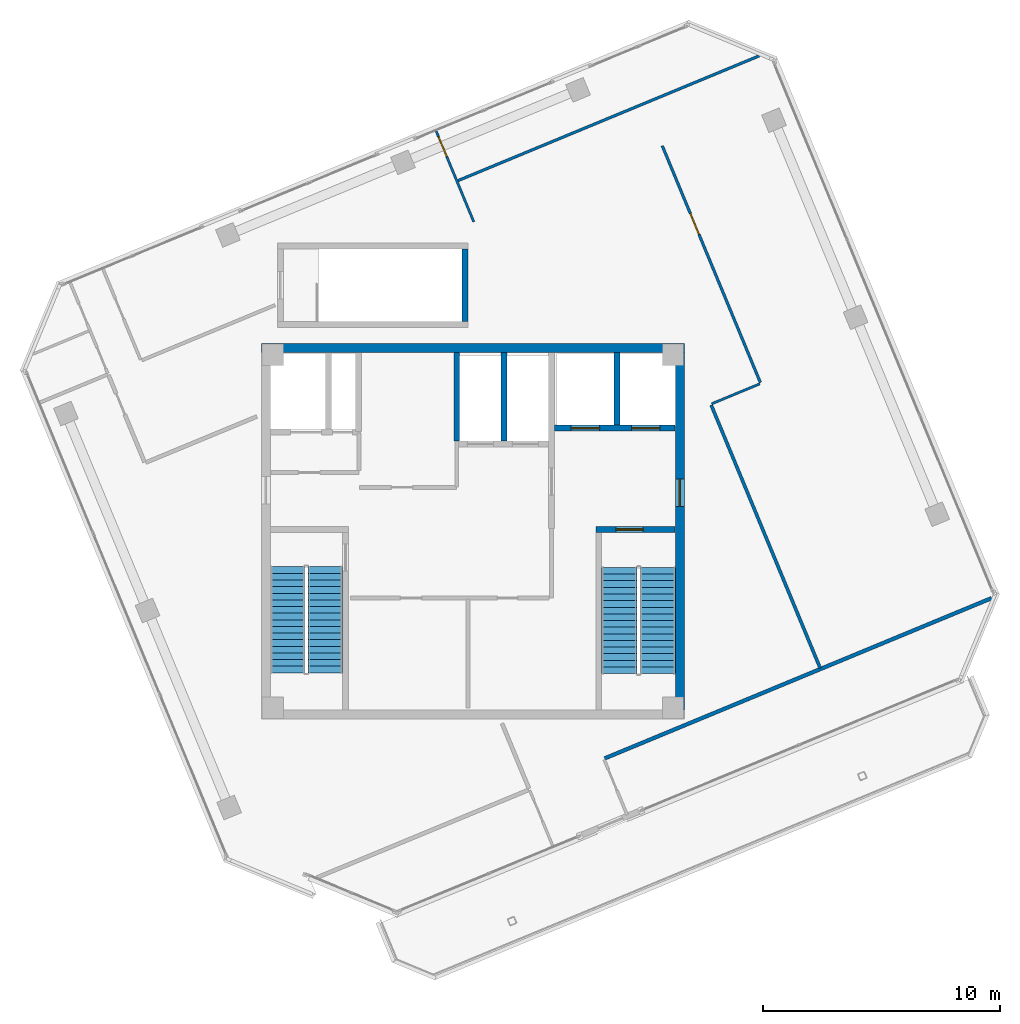
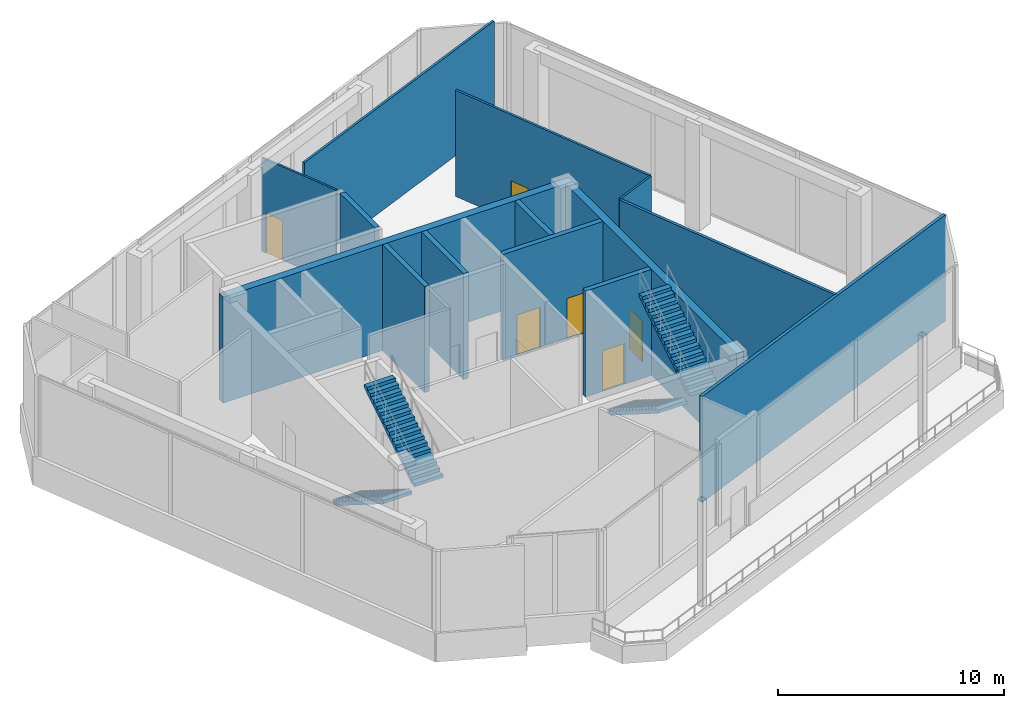
# One storey, part 12 of 16: 14 walls, 6 doors, 4 stair flights, 6 openings, 2 elements without a shape of their own.
"""IFC4 building model written with IfcOpenShell, lengths in metres."""

from ifc_helpers import new_model, si_unit, direction, frame, frame_2d, origin, place, context, subcontext, project, spatial, polyline, rectangle, outline, extrude, source, transform, mapped, material, layer, layer_set, type_object, element, fill, aggregate, save


model = new_model("IFC4")

# Units and contexts
model_context = context("Model", 3, precision=1e-05, world=origin(), true_north=direction((0.0, 1.0)))
body_context = subcontext(model_context, "Body", "Model", "MODEL_VIEW")
ifc_project = project(units=[si_unit("LENGTHUNIT", "METRE"), si_unit("AREAUNIT", "SQUARE_METRE"), si_unit("VOLUMEUNIT", "CUBIC_METRE"), si_unit("PLANEANGLEUNIT", "RADIAN"), si_unit("MASSUNIT", "GRAM", prefix="KILO")], contexts=[model_context])

# Site, building, storey
site_placement = place(None, origin())
site = spatial("IfcSite", under=ifc_project, at=site_placement, CompositionType="ELEMENT")
building_placement = place(site_placement, origin())
building = spatial("IfcBuilding", under=site, at=building_placement, Name="Torre Montelarca", CompositionType="ELEMENT")
storey_placement = place(building_placement, frame((0.0, 0.0, 360.0)))
storey = spatial("IfcBuildingStorey", under=building, at=storey_placement, Name="L81", CompositionType="ELEMENT", Elevation=360.0)

# Wall, opening, door
ifc_material_1 = material(Name="Concrete C40/50", Category="concrete")
ifc_layer_1 = layer(ifc_material_1, 0.25, Name="Concrete C40/50", Category="concrete")
ifc_layer_set_1 = layer_set([ifc_layer_1], Name="Concrete C40/50")
wall_type_1 = type_object("IfcWallType", Name="CW-SHAFT-250", PredefinedType="SHEAR", material=ifc_layer_set_1)
wall_1_placement = place(storey_placement, frame((23.18994140625, 32.074951171875, 0.0), z_axis=(0.0, 0.0, 1.0), x_axis=(1.0, 0.0, 0.0)))
wall_1 = element("IfcWall", 1, at=wall_1_placement, inside=storey, type_object=wall_type_1, Name="L81 Core Shear Wall SH-ST2-N", PredefinedType="SHEAR", context=body_context, shape_type="SweptSolid", body=[
    extrude(rectangle(XDim=3.35009765625, YDim=0.25, at=frame_2d((1.675048828125, 0.0))), origin(), (0.0, 0.0, 1.0), 5.719970703125),
])
opening_1_placement = place(wall_1_placement, frame((0.85009765625, 0.0, 0.0)))
opening_1 = element("IfcOpeningElement", 2, at=opening_1_placement, cuts=wall_1, Name="Opening FD-ST1", PredefinedType="OPENING", context=body_context, shape_type="SweptSolid", body=[
    extrude(rectangle(XDim=1.14990234375, YDim=2.199951171875, at=frame_2d((0.574951171875, 1.10009765625))), frame((0.0, 0.135009765625, 0.0), z_axis=(0.0, -1.0, 0.0), x_axis=(1.0, 0.0, 0.0)), (0.0, 0.0, 1.0), 0.27001953125),
])
ifc_material_2 = material(Name="Galvanized steel fire door", Category="steel")
door_type_1 = type_object("IfcDoorType", Name="DR-STAIR-115", OperationType="NOTDEFINED", PredefinedType="DOOR", material=ifc_material_2)
shared_shape_1 = source(origin(), body_context, "Body", "SweptSolid", [
    extrude(rectangle(XDim=1.14990234375, YDim=2.199951171875, at=frame_2d((0.574951171875, 1.10009765625))), frame((0.0, 0.02490234375, 0.0), z_axis=(0.0, -1.0, 0.0), x_axis=(1.0, 0.0, 0.0)), (0.0, 0.0, 1.0), 0.050048828125),
])
door_1_placement = place(opening_1_placement, origin())
door_1 = element("IfcDoor", 3, at=door_1_placement, inside=storey, type_object=door_type_1, Name="L81 Exit Stair ST2 Fire Door", OperationType="SINGLE_SWING_RIGHT", OverallHeight=2.199951171875, OverallWidth=1.14990234375, PredefinedType="DOOR", context=body_context, shape_type="MappedRepresentation", body=[
    mapped(shared_shape_1, transform((0.0, 0.0, 0.0), scale=1.0)),
])
fill(opening_1, door_1)

# Wall, openings, doors
wall_2_placement = place(storey_placement, frame((21.449951171875, 36.35009765625, 0.0), z_axis=(0.0, 0.0, 1.0), x_axis=(1.0, 0.0, 0.0)))
wall_2 = element("IfcWall", 4, at=wall_2_placement, inside=storey, type_object=wall_type_1, Name="L81 Core Shear Wall SH-FF-S", PredefinedType="SHEAR", context=body_context, shape_type="SweptSolid", body=[
    extrude(rectangle(XDim=5.090087890625, YDim=0.25, at=frame_2d((2.544921875, 0.0))), origin(), (0.0, 0.0, 1.0), 5.719970703125),
])
opening_2_placement = place(wall_2_placement, frame((0.699951171875, 0.0, 0.0)))
opening_2 = element("IfcOpeningElement", 5, at=opening_2_placement, cuts=wall_2, Name="Opening LD-120", PredefinedType="OPENING", context=body_context, shape_type="SweptSolid", body=[
    extrude(rectangle(XDim=1.199951171875, YDim=2.199951171875, at=frame_2d((0.60009765625, 1.10009765625))), frame((0.0, 0.135009765625, 0.0), z_axis=(0.0, -1.0, 0.0), x_axis=(1.0, 0.0, 0.0)), (0.0, 0.0, 1.0), 0.27001953125),
])
opening_3_placement = place(wall_2_placement, frame((3.25, 0.0, 0.0)))
opening_3 = element("IfcOpeningElement", 6, at=opening_3_placement, cuts=wall_2, Name="Opening LD-120", PredefinedType="OPENING", context=body_context, shape_type="SweptSolid", body=[
    extrude(rectangle(XDim=1.199951171875, YDim=2.199951171875, at=frame_2d((0.60009765625, 1.10009765625))), frame((0.0, 0.135009765625, 0.0), z_axis=(0.0, -1.0, 0.0), x_axis=(1.0, 0.0, 0.0)), (0.0, 0.0, 1.0), 0.27001953125),
])
ifc_material_3 = material(Name="Brushed stainless steel AISI 316", Category="steel")
door_type_2 = type_object("IfcDoorType", Name="DR-LIFT-120", OperationType="SLIDING_TO_RIGHT", PredefinedType="DOOR", material=ifc_material_3)
shared_shape_2 = source(origin(), body_context, "Body", "SweptSolid", [
    extrude(rectangle(XDim=1.199951171875, YDim=2.199951171875, at=frame_2d((0.60009765625, 1.10009765625))), frame((0.0, 0.02490234375, 0.0), z_axis=(0.0, -1.0, 0.0), x_axis=(1.0, 0.0, 0.0)), (0.0, 0.0, 1.0), 0.050048828125),
])
door_2_placement = place(opening_2_placement, origin())
door_2 = element("IfcDoor", 7, at=door_2_placement, inside=storey, type_object=door_type_2, Name="L81 Lift Landing Sliding Door FF-1", OperationType="SLIDING_TO_LEFT", OverallHeight=2.199951171875, OverallWidth=1.199951171875, PredefinedType="DOOR", context=body_context, shape_type="MappedRepresentation", body=[
    mapped(shared_shape_2, transform((0.0, 0.0, 0.0), scale=1.0)),
])
fill(opening_2, door_2)
door_3_placement = place(opening_3_placement, origin())
door_3 = element("IfcDoor", 8, at=door_3_placement, inside=storey, type_object=door_type_2, Name="L81 Lift Landing Sliding Door FF-2", OperationType="SLIDING_TO_RIGHT", OverallHeight=2.199951171875, OverallWidth=1.199951171875, PredefinedType="DOOR", context=body_context, shape_type="MappedRepresentation", body=[
    mapped(shared_shape_2, transform((0.0, 0.0, 0.0), scale=1.0)),
])
fill(opening_3, door_3)

# Walls
wall_3_placement = place(storey_placement, frame((24.080078125, 36.47998046875, 0.0), z_axis=(0.0, 0.0, 1.0), x_axis=(0.0, 1.0, 0.0)))
element("IfcWall", 9, at=wall_3_placement, inside=storey, type_object=wall_type_1, Name="L81 Core Shear Wall SH-FF-M", PredefinedType="SHEAR", context=body_context, shape_type="SweptSolid", body=[
    extrude(rectangle(XDim=3.06005859375, YDim=0.25, at=frame_2d((1.530029296875, 0.0))), origin(), (0.0, 0.0, 1.0), 5.719970703125),
])
for number, where, z_axis, x_axis, name in (
    (10, (17.320068359375, 35.81005859375, 0.0), (0.0, 0.0, 1.0), (0.0, 1.0, 0.0), "L81 Core Shear Wall SH-PLH-W"),
    (11, (19.320068359375, 35.81005859375, 0.0), (0.0, 0.0, 1.0), (0.0, 1.0, 0.0), "L81 Core Shear Wall SH-PLH-M"),
):
    element("IfcWall", number, at=place(storey_placement, frame(where, z_axis=z_axis, x_axis=x_axis)), inside=storey, type_object=wall_type_1, Name=name, PredefinedType="SHEAR", context=body_context, shape_type="SweptSolid", body=[
        extrude(rectangle(XDim=3.72998046875, YDim=0.25, at=frame_2d((1.864990234375, 0.0))), origin(), (0.0, 0.0, 1.0), 5.719970703125),
    ])
wall_4_placement = place(storey_placement, frame((17.675048828125, 40.85009765625, 0.0), z_axis=(0.0, 0.0, 1.0), x_axis=(0.0, 1.0, 0.0)))
element("IfcWall", 12, at=wall_4_placement, inside=storey, type_object=wall_type_1, Name="L81 Core Shear Wall SH-ST5-E", PredefinedType="SHEAR", context=body_context, shape_type="SweptSolid", body=[
    extrude(rectangle(XDim=3.06982421875, YDim=0.25, at=frame_2d((1.534912109375, 0.0))), origin(), (0.0, 0.0, 1.0), 5.719970703125),
])

# Wall, opening, door
ifc_layer_2 = layer(ifc_material_1, 0.3798828125, Name="Concrete C40/50", Category="concrete")
ifc_layer_set_2 = layer_set([ifc_layer_2], Name="Concrete C40/50")
wall_type_2 = type_object("IfcWallType", Name="CW-SHEAR-380", PredefinedType="SHEAR", material=ifc_layer_set_2)
wall_5_placement = place(storey_placement, frame((26.739990234375, 24.449951171875, 0.0), z_axis=(0.0, 0.0, 1.0), x_axis=(0.0, 1.0, 0.0)))
wall_5 = element("IfcWall", 13, at=wall_5_placement, inside=storey, type_object=wall_type_2, Name="L81 Core Shear Wall CW-E", PredefinedType="SHEAR", context=body_context, shape_type="SweptSolid", body=[
    extrude(rectangle(XDim=15.10009765625, YDim=0.3798828125, at=frame_2d((7.550048828125, 0.0))), origin(), (0.0, 0.0, 1.0), 5.719970703125),
])
opening_4_placement = place(wall_5_placement, frame((8.60009765625, 0.0, 0.0)))
opening_4 = element("IfcOpeningElement", 14, at=opening_4_placement, cuts=wall_5, Name="Opening FD-LB1", PredefinedType="OPENING", context=body_context, shape_type="SweptSolid", body=[
    extrude(rectangle(XDim=1.14990234375, YDim=2.199951171875, at=frame_2d((0.574951171875, 1.10009765625))), frame((0.0, 0.199951171875, 0.0), z_axis=(0.0, -1.0, 0.0), x_axis=(1.0, 0.0, 0.0)), (0.0, 0.0, 1.0), 0.39990234375),
])
ifc_material_4 = material(Name="Acoustic timber-veneered fire door", Category="wood")
door_type_3 = type_object("IfcDoorType", Name="DR-LOBBY-115", OperationType="NOTDEFINED", PredefinedType="DOOR", material=ifc_material_4)
shared_shape_3 = source(origin(), body_context, "Body", "SweptSolid", [
    extrude(rectangle(XDim=1.14990234375, YDim=2.199951171875, at=frame_2d((0.574951171875, 1.10009765625))), frame((0.0, 0.02490234375, 0.0), z_axis=(0.0, -1.0, 0.0), x_axis=(1.0, 0.0, 0.0)), (0.0, 0.0, 1.0), 0.050048828125),
])
door_4_placement = place(opening_4_placement, origin())
door_4 = element("IfcDoor", 15, at=door_4_placement, inside=storey, type_object=door_type_3, Name="L81 Firefighting Lift Lobby Corridor Fire Door", OperationType="SINGLE_SWING_RIGHT", OverallHeight=2.199951171875, OverallWidth=1.14990234375, PredefinedType="DOOR", context=body_context, shape_type="MappedRepresentation", body=[
    mapped(shared_shape_3, transform((0.0, 0.0, 0.0), scale=1.0)),
])
fill(opening_4, door_4)

# Walls
wall_6_placement = place(storey_placement, frame((9.070068359375, 39.739990234375, 0.0), z_axis=(0.0, 0.0, 1.0), x_axis=(1.0, 0.0, 0.0)))
element("IfcWall", 16, at=wall_6_placement, inside=storey, type_object=wall_type_2, Name="L81 Core Shear Wall CW-N1", PredefinedType="SHEAR", context=body_context, shape_type="SweptSolid", body=[
    extrude(rectangle(XDim=17.85986328125, YDim=0.3798828125, at=frame_2d((8.929931640625, 0.0))), origin(), (0.0, 0.0, 1.0), 5.719970703125),
])
ifc_material_5 = material(Name="Gypsum plasterboard on steel stud", Category="steel")
ifc_layer_3 = layer(ifc_material_5, 0.159912109375, Name="Gypsum plasterboard on steel stud", Category="steel")
ifc_layer_set_3 = layer_set([ifc_layer_3], Name="Gypsum plasterboard on steel stud")
wall_type_3 = type_object("IfcWallType", Name="PW-FIRE-160", PredefinedType="PARTITIONING", material=ifc_layer_set_3)
wall_7_placement = place(storey_placement, frame((23.56689453125, 22.410888671875, 0.0), z_axis=(0.0, 0.0, 1.0), x_axis=(0.923875223291, 0.382693835577, 0.0)))
element("IfcWall", 17, at=wall_7_placement, inside=storey, type_object=wall_type_3, Name="L81 Interior Partition W-L81-ECN", PredefinedType="PARTITIONING", context=body_context, shape_type="SweptSolid", body=[
    extrude(rectangle(XDim=17.671875, YDim=0.159912109375, at=frame_2d((8.8359375, 0.0))), origin(), (0.0, 0.0, 1.0), 5.719970703125),
])
ifc_material_6 = material(Name="Acoustic laminated glass partition", Category="glass")
ifc_layer_4 = layer(ifc_material_6, 0.10009765625, Name="Acoustic laminated glass partition", Category="glass")
ifc_layer_set_4 = layer_set([ifc_layer_4], Name="Acoustic laminated glass partition")
wall_type_4 = type_object("IfcWallType", Name="PW-GLAZ-100", PredefinedType="PARTITIONING", material=ifc_layer_set_4)
wall_8_placement = place(storey_placement, frame((28.082763671875, 37.37841796875, 0.0), z_axis=(0.0, 0.0, 1.0), x_axis=(0.923853160736, 0.382747093259, 0.0)))
element("IfcWall", 18, at=wall_8_placement, inside=storey, type_object=wall_type_4, Name="L81 Interior Partition W-L81-NWW3", PredefinedType="PARTITIONING", context=body_context, shape_type="SweptSolid", body=[
    extrude(rectangle(XDim=2.199951171875, YDim=0.10009765625, at=frame_2d((1.10009765625, 0.0))), origin(), (0.0, 0.0, 1.0), 5.719970703125),
])

# Wall, opening, door
wall_9_placement = place(storey_placement, frame((16.45849609375, 48.875244140625, 0.0), z_axis=(0.0, 0.0, 1.0), x_axis=(0.382645903769, -0.923895076472, 0.0)))
wall_9 = element("IfcWall", 19, at=wall_9_placement, inside=storey, type_object=wall_type_4, Name="L81 Interior Partition W-L81-WPKM", PredefinedType="PARTITIONING", context=body_context, shape_type="SweptSolid", body=[
    extrude(rectangle(XDim=4.1298828125, YDim=0.10009765625, at=frame_2d((2.06494140625, 0.0))), origin(), (0.0, 0.0, 1.0), 5.054931640625),
])
opening_5_placement = place(wall_9_placement, frame((0.25, 0.0, 0.0)))
opening_5 = element("IfcOpeningElement", 20, at=opening_5_placement, cuts=wall_9, Name="Opening ID-090", PredefinedType="OPENING", context=body_context, shape_type="SweptSolid", body=[
    extrude(rectangle(XDim=0.89990234375, YDim=2.14990234375, at=frame_2d((0.449951171875, 1.074951171875))), frame((0.0, 0.06005859375, 0.0), z_axis=(0.0, -1.0, 0.0), x_axis=(1.0, 0.0, 0.0)), (0.0, 0.0, 1.0), 0.1201171875),
])
ifc_material_7 = material(Name="Hardwood acoustic timber veneer", Category="wood")
door_type_4 = type_object("IfcDoorType", Name="DR-INT-090", OperationType="NOTDEFINED", PredefinedType="DOOR", material=ifc_material_7)
shared_shape_4 = source(origin(), body_context, "Body", "SweptSolid", [
    extrude(rectangle(XDim=0.89990234375, YDim=2.14990234375, at=frame_2d((0.449951171875, 1.074951171875))), frame((0.0, 0.02490234375, 0.0), z_axis=(0.0, -1.0, 0.0), x_axis=(1.0, 0.0, 0.0)), (0.0, 0.0, 1.0), 0.050048828125),
])
door_5_placement = place(opening_5_placement, origin())
door_5 = element("IfcDoor", 21, at=door_5_placement, inside=storey, type_object=door_type_4, Name="L81 Interior Door 10", OperationType="SINGLE_SWING_RIGHT", OverallHeight=2.14990234375, OverallWidth=0.89990234375, PredefinedType="DOOR", context=body_context, shape_type="MappedRepresentation", body=[
    mapped(shared_shape_4, transform((0.0, 0.0, 0.0), scale=1.0)),
])
fill(opening_5, door_5)

ifc_layer_5 = layer(ifc_material_5, 0.114990234375, Name="Gypsum plasterboard on steel stud", Category="steel")
ifc_layer_set_5 = layer_set([ifc_layer_5], Name="Gypsum plasterboard on steel stud")
wall_type_5 = type_object("IfcWallType", Name="PW-PART-115", PredefinedType="PARTITIONING", material=ifc_layer_set_5)
wall_10_placement = place(storey_placement, frame((25.996337890625, 48.26904296875, 0.0), z_axis=(0.0, 0.0, 1.0), x_axis=(0.382683927115, -0.923879327579, 0.0)))
wall_10 = element("IfcWall", 22, at=wall_10_placement, inside=storey, type_object=wall_type_5, Name="L81 Interior Partition W-L81-NBOT", PredefinedType="PARTITIONING", context=body_context, shape_type="SweptSolid", body=[
    extrude(rectangle(XDim=10.820068359375, YDim=0.114990234375, at=frame_2d((5.41015625, 0.0))), origin(), (0.0, 0.0, 1.0), 5.719970703125),
])
opening_6_placement = place(wall_10_placement, frame((3.10009765625, 0.0, 0.0)))
opening_6 = element("IfcOpeningElement", 23, at=opening_6_placement, cuts=wall_10, Name="Opening ID-095", PredefinedType="OPENING", context=body_context, shape_type="SweptSolid", body=[
    extrude(rectangle(XDim=0.949951171875, YDim=2.14990234375, at=frame_2d((0.47509765625, 1.074951171875))), frame((0.0, 0.0673828125, 0.0), z_axis=(0.0, -1.0, 0.0), x_axis=(1.0, 0.0, 0.0)), (0.0, 0.0, 1.0), 0.135009765625),
])
door_type_5 = type_object("IfcDoorType", Name="DR-INT-095", OperationType="NOTDEFINED", PredefinedType="DOOR", material=ifc_material_7)
shared_shape_5 = source(origin(), body_context, "Body", "SweptSolid", [
    extrude(rectangle(XDim=0.949951171875, YDim=2.14990234375, at=frame_2d((0.47509765625, 1.074951171875))), frame((0.0, 0.02490234375, 0.0), z_axis=(0.0, -1.0, 0.0), x_axis=(1.0, 0.0, 0.0)), (0.0, 0.0, 1.0), 0.050048828125),
])
door_6_placement = place(opening_6_placement, origin())
door_6 = element("IfcDoor", 24, at=door_6_placement, inside=storey, type_object=door_type_5, Name="L81 Interior Door 08", OperationType="SINGLE_SWING_LEFT", OverallHeight=2.14990234375, OverallWidth=0.949951171875, PredefinedType="DOOR", context=body_context, shape_type="MappedRepresentation", body=[
    mapped(shared_shape_5, transform((0.0, 0.0, 0.0), scale=1.0)),
])
fill(opening_6, door_6)

# Walls
wall_11_placement = place(storey_placement, frame((17.364013671875, 46.793212890625, 0.0), z_axis=(0.0, 0.0, 1.0), x_axis=(0.923874230192, 0.382696233045, 0.0)))
element("IfcWall", 25, at=wall_11_placement, inside=storey, type_object=wall_type_5, Name="L81 Interior Partition W-L81-WPKE2", PredefinedType="PARTITIONING", context=body_context, shape_type="SweptSolid", body=[
    extrude(rectangle(XDim=13.77197265625, YDim=0.114990234375, at=frame_2d((6.885986328125, 0.0))), origin(), (0.0, 0.0, 1.0), 5.719970703125),
])
ifc_layer_6 = layer(ifc_material_5, 0.135009765625, Name="Gypsum plasterboard on steel stud", Category="steel")
ifc_layer_set_6 = layer_set([ifc_layer_6], Name="Gypsum plasterboard on steel stud")
wall_type_6 = type_object("IfcWallType", Name="PW-PART-135", PredefinedType="PARTITIONING", material=ifc_layer_set_6)
wall_12_placement = place(storey_placement, frame((28.06103515625, 37.326171875, 0.0), z_axis=(0.0, 0.0, 1.0), x_axis=(0.382684852278, -0.923878944363, 0.0)))
element("IfcWall", 26, at=wall_12_placement, inside=storey, type_object=wall_type_6, Name="L81 Interior Partition W-L81-NBOT3", PredefinedType="PARTITIONING", context=body_context, shape_type="SweptSolid", body=[
    extrude(rectangle(XDim=12.02001953125, YDim=0.135009765625, at=frame_2d((6.010009765625, 0.0))), origin(), (0.0, 0.0, 1.0), 5.719970703125),
])

# Stair, stair flights
stair_type_1 = type_object("IfcStairType", Name="ST-CORE-ST1", PredefinedType="HALF_TURN_STAIR", material=ifc_material_1)
stair_1_placement = place(storey_placement, origin())
stair_1 = element("IfcStair", 27, at=stair_1_placement, inside=storey, type_object=stair_type_1, Name="L81 Protected Exit Stair ST1", PredefinedType="HALF_TURN_STAIR")
stair_flight_type_1 = type_object("IfcStairFlightType", Name="SFL-CORE-ST1", PredefinedType="STRAIGHT", material=ifc_material_1)
stair_flight_1_placement = place(storey_placement, frame((10.175048828125, 30.5, 0.0), z_axis=(0.0, 0.0, 1.0), x_axis=(0.0, -1.0, 0.0)))
stair_flight_1 = element("IfcStairFlight", 28, at=stair_flight_1_placement, type_object=stair_flight_type_1, Name="ST1 flight 1", NumberOfRisers=17, NumberOfTreads=16, PredefinedType="STRAIGHT", RiserHeight=0.176470588, TreadLength=0.28, context=body_context, shape_type="SweptSolid", body=[
    extrude(outline(polyline([(0.0, 0.0), (0.0, 0.176513671875), (0.280029296875, 0.176513671875), (0.280029296875, 0.35302734375), (0.56005859375, 0.35302734375), (0.56005859375, 0.529296875), (0.840087890625, 0.529296875), (0.840087890625, 0.705810546875), (1.1201171875, 0.705810546875), (1.1201171875, 0.88232421875), (1.39990234375, 0.88232421875), (1.39990234375, 1.058837890625), (1.679931640625, 1.058837890625), (1.679931640625, 1.2353515625), (1.9599609375, 1.2353515625), (1.9599609375, 1.411865234375), (2.239990234375, 1.411865234375), (2.239990234375, 1.588134765625), (2.52001953125, 1.588134765625), (2.52001953125, 1.7646484375), (2.800048828125, 1.7646484375), (2.800048828125, 1.941162109375), (3.080078125, 1.941162109375), (3.080078125, 2.11767578125), (3.360107421875, 2.11767578125), (3.360107421875, 2.294189453125), (3.639892578125, 2.294189453125), (3.639892578125, 2.470703125), (3.919921875, 2.470703125), (3.919921875, 2.64697265625), (4.199951171875, 2.64697265625), (4.199951171875, 2.823486328125), (4.47998046875, 2.823486328125), (4.47998046875, 3.0), (4.47998046875, 2.646240234375), (0.28125, 0.0), (0.0, 0.0)])), frame((0.0, 0.72509765625, 0.0), z_axis=(0.0, -1.0, 0.0), x_axis=(1.0, 0.0, 0.0)), (0.0, 0.0, 1.0), 1.449951171875),
])
stair_flight_2_placement = place(storey_placement, frame((11.77490234375, 26.02001953125, 3.0), z_axis=(0.0, 0.0, 1.0), x_axis=(0.0, 1.0, 0.0)))
stair_flight_2 = element("IfcStairFlight", 29, at=stair_flight_2_placement, type_object=stair_flight_type_1, Name="ST1 flight 2", NumberOfRisers=17, NumberOfTreads=16, PredefinedType="STRAIGHT", RiserHeight=0.176470588, TreadLength=0.28, context=body_context, shape_type="SweptSolid", body=[
    extrude(outline(polyline([(0.0, 0.0), (0.0, 0.176513671875), (0.280029296875, 0.176513671875), (0.280029296875, 0.35302734375), (0.56005859375, 0.35302734375), (0.56005859375, 0.529296875), (0.840087890625, 0.529296875), (0.840087890625, 0.705810546875), (1.1201171875, 0.705810546875), (1.1201171875, 0.88232421875), (1.39990234375, 0.88232421875), (1.39990234375, 1.058837890625), (1.679931640625, 1.058837890625), (1.679931640625, 1.2353515625), (1.9599609375, 1.2353515625), (1.9599609375, 1.411865234375), (2.239990234375, 1.411865234375), (2.239990234375, 1.588134765625), (2.52001953125, 1.588134765625), (2.52001953125, 1.7646484375), (2.800048828125, 1.7646484375), (2.800048828125, 1.941162109375), (3.080078125, 1.941162109375), (3.080078125, 2.11767578125), (3.360107421875, 2.11767578125), (3.360107421875, 2.294189453125), (3.639892578125, 2.294189453125), (3.639892578125, 2.470703125), (3.919921875, 2.470703125), (3.919921875, 2.64697265625), (4.199951171875, 2.64697265625), (4.199951171875, 2.823486328125), (4.47998046875, 2.823486328125), (4.47998046875, 3.0), (4.47998046875, 2.646240234375), (0.28125, 0.0), (0.0, 0.0)])), frame((0.0, 0.72509765625, 0.0), z_axis=(0.0, -1.0, 0.0), x_axis=(1.0, 0.0, 0.0)), (0.0, 0.0, 1.0), 1.449951171875),
])
aggregate(stair_1, [stair_flight_1, stair_flight_2])

stair_type_2 = type_object("IfcStairType", Name="ST-CORE-ST2", PredefinedType="HALF_TURN_STAIR", material=ifc_material_1)
stair_2_placement = place(storey_placement, origin())
stair_2 = element("IfcStair", 30, at=stair_2_placement, inside=storey, type_object=stair_type_2, Name="L81 Protected Exit Stair ST2", PredefinedType="HALF_TURN_STAIR")
stair_flight_type_2 = type_object("IfcStairFlightType", Name="SFL-CORE-ST2", PredefinedType="STRAIGHT", material=ifc_material_1)
stair_flight_3_placement = place(storey_placement, frame((24.179931640625, 30.469970703125, 0.0), z_axis=(0.0, 0.0, 1.0), x_axis=(0.0, -1.0, 0.0)))
stair_flight_3 = element("IfcStairFlight", 31, at=stair_flight_3_placement, type_object=stair_flight_type_2, Name="ST2 flight 1", NumberOfRisers=17, NumberOfTreads=16, PredefinedType="STRAIGHT", RiserHeight=0.176470588, TreadLength=0.28, context=body_context, shape_type="SweptSolid", body=[
    extrude(outline(polyline([(0.0, 0.0), (0.0, 0.176513671875), (0.280029296875, 0.176513671875), (0.280029296875, 0.35302734375), (0.56005859375, 0.35302734375), (0.56005859375, 0.529296875), (0.840087890625, 0.529296875), (0.840087890625, 0.705810546875), (1.1201171875, 0.705810546875), (1.1201171875, 0.88232421875), (1.39990234375, 0.88232421875), (1.39990234375, 1.058837890625), (1.679931640625, 1.058837890625), (1.679931640625, 1.2353515625), (1.9599609375, 1.2353515625), (1.9599609375, 1.411865234375), (2.239990234375, 1.411865234375), (2.239990234375, 1.588134765625), (2.52001953125, 1.588134765625), (2.52001953125, 1.7646484375), (2.800048828125, 1.7646484375), (2.800048828125, 1.941162109375), (3.080078125, 1.941162109375), (3.080078125, 2.11767578125), (3.360107421875, 2.11767578125), (3.360107421875, 2.294189453125), (3.639892578125, 2.294189453125), (3.639892578125, 2.470703125), (3.919921875, 2.470703125), (3.919921875, 2.64697265625), (4.199951171875, 2.64697265625), (4.199951171875, 2.823486328125), (4.47998046875, 2.823486328125), (4.47998046875, 3.0), (4.47998046875, 2.646240234375), (0.28125, 0.0), (0.0, 0.0)])), frame((0.0, 0.739990234375, 0.0), z_axis=(0.0, -1.0, 0.0), x_axis=(1.0, 0.0, 0.0)), (0.0, 0.0, 1.0), 1.47998046875),
])
stair_flight_4_placement = place(storey_placement, frame((25.81005859375, 25.989990234375, 3.0), z_axis=(0.0, 0.0, 1.0), x_axis=(0.0, 1.0, 0.0)))
stair_flight_4 = element("IfcStairFlight", 32, at=stair_flight_4_placement, type_object=stair_flight_type_2, Name="ST2 flight 2", NumberOfRisers=17, NumberOfTreads=16, PredefinedType="STRAIGHT", RiserHeight=0.176470588, TreadLength=0.28, context=body_context, shape_type="SweptSolid", body=[
    extrude(outline(polyline([(0.0, 0.0), (0.0, 0.176513671875), (0.280029296875, 0.176513671875), (0.280029296875, 0.35302734375), (0.56005859375, 0.35302734375), (0.56005859375, 0.529296875), (0.840087890625, 0.529296875), (0.840087890625, 0.705810546875), (1.1201171875, 0.705810546875), (1.1201171875, 0.88232421875), (1.39990234375, 0.88232421875), (1.39990234375, 1.058837890625), (1.679931640625, 1.058837890625), (1.679931640625, 1.2353515625), (1.9599609375, 1.2353515625), (1.9599609375, 1.411865234375), (2.239990234375, 1.411865234375), (2.239990234375, 1.588134765625), (2.52001953125, 1.588134765625), (2.52001953125, 1.7646484375), (2.800048828125, 1.7646484375), (2.800048828125, 1.941162109375), (3.080078125, 1.941162109375), (3.080078125, 2.11767578125), (3.360107421875, 2.11767578125), (3.360107421875, 2.294189453125), (3.639892578125, 2.294189453125), (3.639892578125, 2.470703125), (3.919921875, 2.470703125), (3.919921875, 2.64697265625), (4.199951171875, 2.64697265625), (4.199951171875, 2.823486328125), (4.47998046875, 2.823486328125), (4.47998046875, 3.0), (4.47998046875, 2.646240234375), (0.28125, 0.0), (0.0, 0.0)])), frame((0.0, 0.739990234375, 0.0), z_axis=(0.0, -1.0, 0.0), x_axis=(1.0, 0.0, 0.0)), (0.0, 0.0, 1.0), 1.47998046875),
])
aggregate(stair_2, [stair_flight_3, stair_flight_4])

save(model, "model.ifc")
